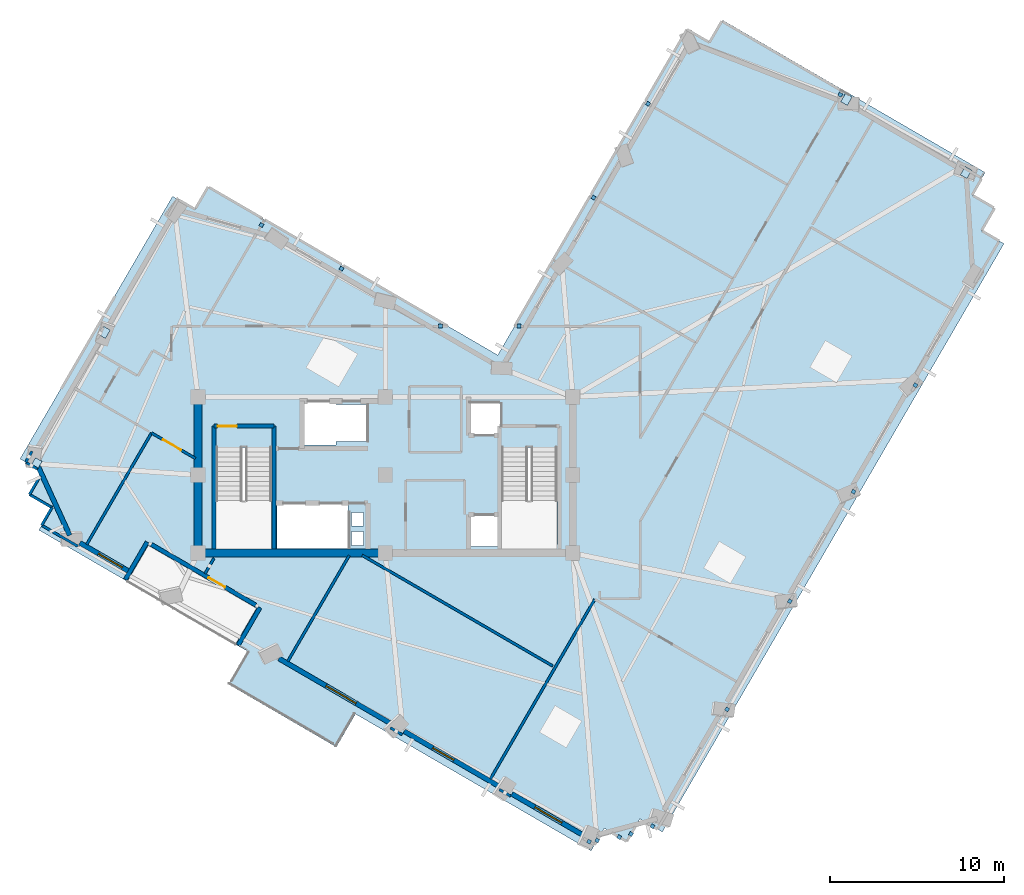
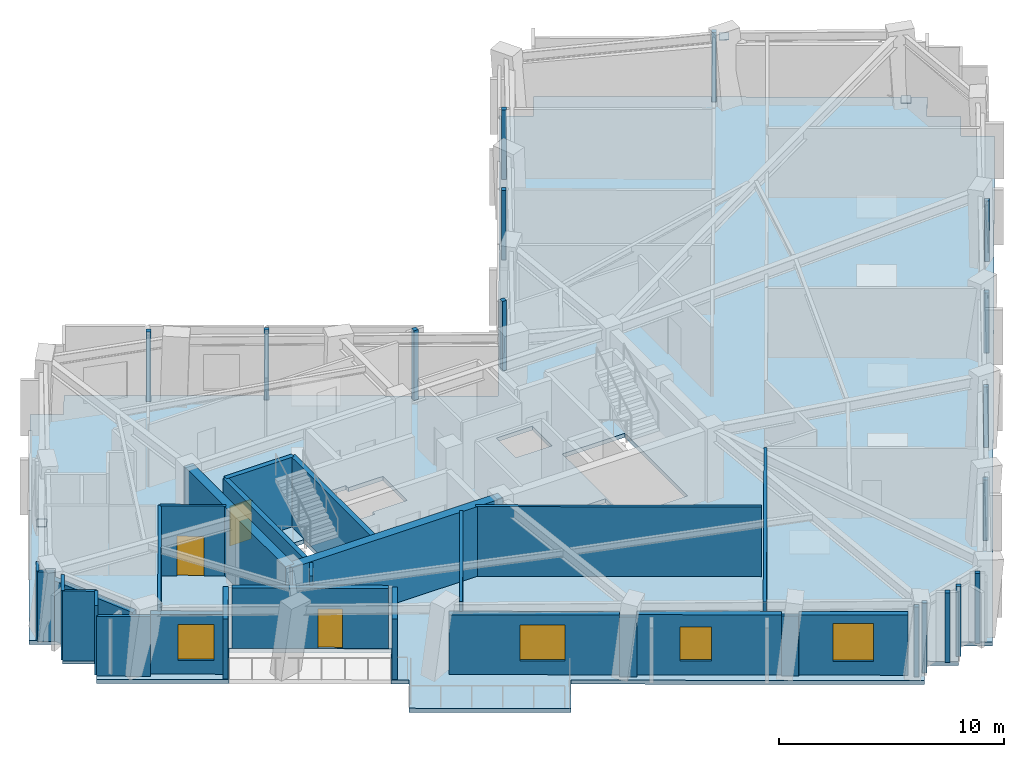
# One storey, part 4 of 12: 27 walls, 20 plates, 4 windows, 3 doors, 1 slab, 7 openings.
"""IFC4 building model written with IfcOpenShell, lengths in metres."""

from ifc_helpers import new_model, si_unit, direction, frame, frame_2d, origin, origin_2d, place, context, subcontext, project, spatial, polyline, rectangle, outline, extrude, material, layer, layer_set, type_object, element, fill, save


model = new_model("IFC4")

# Units and contexts
model_context = context("Model", 3, precision=1e-05, world=origin(), true_north=direction((0.0, 1.0)))
body_context = subcontext(model_context, "Body", "Model", "MODEL_VIEW")
ifc_project = project(units=[si_unit("LENGTHUNIT", "METRE"), si_unit("AREAUNIT", "SQUARE_METRE"), si_unit("VOLUMEUNIT", "CUBIC_METRE"), si_unit("PLANEANGLEUNIT", "RADIAN"), si_unit("MASSUNIT", "GRAM", prefix="KILO")], contexts=[model_context])

# Site, building, storey
site_placement = place(None, origin())
site = spatial("IfcSite", under=ifc_project, at=site_placement, CompositionType="ELEMENT")
building_placement = place(site_placement, origin())
building = spatial("IfcBuilding", under=site, at=building_placement, Name="Gaonmaruhae Medical Tower", CompositionType="ELEMENT")
storey_placement = place(building_placement, frame((0.0, 0.0, 280.60009765625)))
storey = spatial("IfcBuildingStorey", under=building, at=storey_placement, Name="L67", CompositionType="ELEMENT", Elevation=280.60009765625)

# Slab
ifc_material_1 = material(Name="Concrete C40/50", Category="concrete")
ifc_layer_1 = layer(ifc_material_1, 0.219970703125)
ifc_layer_set_1 = layer_set([ifc_layer_1], Name="Concrete C40/50")
slab_type = type_object("IfcSlabType", Name="FS-220 Clinical Ward Composite Floor Slab", PredefinedType="FLOOR", material=ifc_layer_set_1)
slab_placement = place(storey_placement, frame((0.0, 0.0, -0.22021484375)))
element("IfcSlab", 1, at=slab_placement, inside=storey, type_object=slab_type, Name="L67 Structural Slab 1", PredefinedType="FLOOR", context=body_context, shape_type="SweptSolid", body=[
    extrude(outline(polyline([(5.58984375, 10.423583984375), (4.292724609375, 11.177001953125), (5.046142578125, 12.47412109375), (3.7490234375, 13.2275390625), (12.538818359375, 28.360107421875), (13.835693359375, 27.606689453125), (14.589111328125, 28.903564453125), (31.2783203125, 19.2099609375), (42.17724609375, 37.97412109375), (43.474365234375, 37.220703125), (44.227783203125, 38.517822265625), (59.3603515625, 29.728271484375), (58.60693359375, 28.43115234375), (59.904052734375, 27.677734375), (59.150634765625, 26.380615234375), (60.447509765625, 25.627197265625), (40.7587890625, -8.26953125), (39.4619140625, -7.51611328125), (38.70849609375, -8.813232421875), (37.411376953125, -8.059814453125), (36.657958984375, -9.356689453125), (23.081787109375, -1.47119140625), (21.976806640625, -3.37353515625), (15.7509765625, 0.24267578125), (16.85595703125, 2.14501953125), (16.164306640625, 2.546875), (17.36962890625, 4.622314453125), (11.143798828125, 8.238525390625), (9.938232421875, 6.1630859375), (4.83642578125, 9.12646484375), (5.58984375, 10.423583984375)]), holes=[polyline([(23.550048828125, 8.25), (22.85009765625, 8.25), (22.85009765625, 9.050048828125), (23.550048828125, 9.050048828125), (23.550048828125, 8.25)]), polyline([(29.574951171875, 9.925048828125), (31.425048828125, 9.925048828125), (31.425048828125, 8.175048828125), (29.574951171875, 8.175048828125), (29.574951171875, 9.925048828125)]), polyline([(18.550048828125, 10.625), (22.64990234375, 10.625), (22.64990234375, 8.074951171875), (18.550048828125, 8.074951171875), (18.550048828125, 10.625)]), polyline([(23.550048828125, 9.35009765625), (22.85009765625, 9.35009765625), (22.85009765625, 10.14990234375), (23.550048828125, 10.14990234375), (23.550048828125, 9.35009765625)]), polyline([(15.050048828125, 13.889892578125), (18.25, 13.889892578125), (18.25, 8.300048828125), (15.050048828125, 8.300048828125), (15.050048828125, 13.889892578125)]), polyline([(31.5, 13.889892578125), (34.699951171875, 13.889892578125), (34.699951171875, 8.300048828125), (31.5, 8.300048828125), (31.5, 13.889892578125)]), polyline([(23.72509765625, 14.22509765625), (21.949951171875, 14.22509765625), (21.949951171875, 14.02490234375), (19.949951171875, 14.02490234375), (19.949951171875, 16.574951171875), (21.949951171875, 16.574951171875), (21.949951171875, 16.375), (23.72509765625, 16.375), (23.72509765625, 14.22509765625)]), polyline([(31.425048828125, 16.425048828125), (31.425048828125, 14.675048828125), (29.574951171875, 14.675048828125), (29.574951171875, 16.425048828125), (31.425048828125, 16.425048828125)])]), origin(), (0.0, 0.0, 1.0), 0.22021484375),
])

# Plates
ifc_material_2 = material(Name="Steel HSA650 (650 MPa)", Category="steel")
ifc_layer_2 = layer(ifc_material_2, 0.028076171875)
ifc_layer_set_2 = layer_set([ifc_layer_2], Name="Steel HSA650 (650 MPa)")
plate_type_1 = type_object("IfcPlateType", Name="GP-02 Tube Brace End Cap Gusset Plate", PredefinedType="USERDEFINED", material=ifc_layer_set_2)
for number, where, z_axis, x_axis, name in (
    (2, (58.262451171875, 29.729736328125, 0.23583984375), (0.0, 0.0, 1.0), (0.502265533143, 0.86471344052, 0.0), "L67 Gusset Cap Plate PLT-L67-PBR-E01A"),
    (3, (51.36865234375, 33.943359375, 3.515625), (0.0, 0.0, 1.0), (0.487859659139, 0.87292207727, 0.0), "L67 Gusset Cap Plate PLT-L67-PBR-E01B"),
    (4, (8.61962890625, 20.517578125, 0.23583984375), (0.0, 0.0, 1.0), (0.502265533143, 0.86471344052, 0.0), "L67 Gusset Cap Plate PLT-L67-PBR-N02A"),
    (5, (4.693603515625, 12.946044921875, 3.515625), (0.0, 0.0, 1.0), (0.487859659139, 0.87292207727, 0.0), "L67 Gusset Cap Plate PLT-L67-PBR-N02B"),
):
    element("IfcPlate", number, at=place(storey_placement, frame(where, z_axis=z_axis, x_axis=x_axis)), inside=storey, type_object=plate_type_1, Name=name, ObjectType="GUSSET_PLATE", PredefinedType="USERDEFINED", context=body_context, shape_type="SweptSolid", body=[
        extrude(rectangle(XDim=0.56005859375, YDim=0.43994140625, at=origin_2d()), origin(), (0.0, 0.0, 1.0), 0.028076171875),
    ])
ifc_material_3 = material(Name="Anodised aluminium 6063-T6", Category="aluminium")
ifc_layer_3 = layer(ifc_material_3, 0.011962890625)
ifc_layer_set_3 = layer_set([ifc_layer_3], Name="Anodised aluminium 6063-T6")
plate_type_2 = type_object("IfcPlateType", Name="PP-01 Interior Partition Corner Stiffener Plate", PredefinedType="SHEET", material=ifc_layer_set_3)
for number, where, z_axis, x_axis, name in (
    (6, (38.281005859375, -8.56494140625, 0.0), (0.0, 0.0, 1.0), (-0.864730972368, 0.502235348644, 0.0), "L67 Partition Corner Stiffener Plate PLT-L67-JGP-PW008"),
    (7, (37.006591796875, -8.757080078125, 0.0), (0.0, 0.0, 1.0), (-0.50217497781, -0.864766032902, 0.0), "L67 Partition Corner Stiffener Plate PLT-L67-JGP-PW009"),
    (8, (36.5400390625, -8.825927734375, 0.0), (0.0, 0.0, 1.0), (-0.865055121477, 0.501676825065, 0.0), "L67 Partition Corner Stiffener Plate PLT-L67-JGP-PW010"),
):
    element("IfcPlate", number, at=place(storey_placement, frame(where, z_axis=z_axis, x_axis=x_axis)), inside=storey, type_object=plate_type_2, Name=name, PredefinedType="SHEET", context=body_context, shape_type="SweptSolid", body=[
        extrude(rectangle(XDim=0.219970703125, YDim=0.219970703125, at=origin_2d()), origin(), (0.0, 0.0, 1.0), 3.780029296875),
    ])
plate_placement = place(storey_placement, frame((44.492919921875, -1.20361328125, 0.0), z_axis=(0.0, 0.0, 1.0), x_axis=(-0.502778575965, -0.864415237921, 0.0)))
element("IfcPlate", 9, at=plate_placement, inside=storey, type_object=plate_type_2, Name="L67 Partition Corner Stiffener Plate PLT-L67-JGP-PW014", PredefinedType="SHEET", context=body_context, shape_type="SweptSolid", body=[
    extrude(rectangle(XDim=0.219970703125, YDim=0.219970703125, at=origin_2d()), origin(), (0.0, 0.0, 1.0), 3.264892578125),
])
for number, where, z_axis, x_axis, name in (
    (10, (40.193603515625, -7.94140625, 0.0), (0.0, 0.0, 1.0), (-0.864809852643, 0.502099510825, 0.0), "L67 Partition Corner Stiffener Plate PLT-L67-JGP-PW016"),
    (11, (38.9560546875, -8.385986328125, 0.0), (0.0, 0.0, 1.0), (-0.502235348644, -0.864730972368, 0.0), "L67 Partition Corner Stiffener Plate PLT-L67-JGP-PW017"),
):
    element("IfcPlate", number, at=place(storey_placement, frame(where, z_axis=z_axis, x_axis=x_axis)), inside=storey, type_object=plate_type_2, Name=name, PredefinedType="SHEET", context=body_context, shape_type="SweptSolid", body=[
        extrude(rectangle(XDim=0.219970703125, YDim=0.219970703125, at=origin_2d()), origin(), (0.0, 0.0, 1.0), 3.780029296875),
    ])
for number, where, z_axis, x_axis, name in (
    (12, (48.10888671875, 5.0224609375, 0.0), (0.0, 0.0, 1.0), (-0.501389934345, -0.865221436245, 0.0), "L67 Partition Corner Stiffener Plate PLT-L67-JGP-PW022"),
    (13, (55.341064453125, 17.472900390625, 0.0), (0.0, 0.0, 1.0), (-0.502929437227, -0.86432747334, 0.0), "L67 Partition Corner Stiffener Plate PLT-L67-JGP-PW026"),
    (14, (51.778076171875, 11.339599609375, 0.0), (0.0, 0.0, 1.0), (-0.502054228799, -0.864836141327, 0.0), "L67 Partition Corner Stiffener Plate PLT-L67-JGP-PW027"),
):
    element("IfcPlate", number, at=place(storey_placement, frame(where, z_axis=z_axis, x_axis=x_axis)), inside=storey, type_object=plate_type_2, Name=name, PredefinedType="SHEET", context=body_context, shape_type="SweptSolid", body=[
        extrude(rectangle(XDim=0.219970703125, YDim=0.219970703125, at=origin_2d()), origin(), (0.0, 0.0, 1.0), 3.264892578125),
    ])
for number, where, z_axis, x_axis, name in (
    (15, (32.49951171875, 20.8798828125, 0.0), (0.0, 0.0, 1.0), (-1.0, 0.0, 0.0), "L67 Partition Corner Stiffener Plate PLT-L67-JGP-PW053"),
    (16, (22.27099609375, 24.18994140625, 0.0), (0.0, 0.0, 1.0), (0.501586233954, 0.865107652208, 0.0), "L67 Partition Corner Stiffener Plate PLT-L67-JGP-PW059"),
    (17, (27.969970703125, 20.8798828125, 0.0), (0.0, 0.0, 1.0), (-1.0, 0.0, 0.0), "L67 Partition Corner Stiffener Plate PLT-L67-JGP-PW061"),
    (18, (17.659423828125, 26.701904296875, 0.0), (0.0, 0.0, 1.0), (0.501631530197, 0.865081388028, 0.0), "L67 Partition Corner Stiffener Plate PLT-L67-JGP-PW065"),
    (19, (36.800048828125, 28.283447265625, 0.0), (0.0, 0.0, 1.0), (0.864107946705, -0.503306523345, 0.0), "L67 Partition Corner Stiffener Plate PLT-L67-JGP-PW084"),
    (20, (39.939453125, 33.6884765625, 0.0), (0.0, 0.0, 1.0), (0.864695907619, -0.502295717031, 0.0), "L67 Partition Corner Stiffener Plate PLT-L67-JGP-PW089"),
    (21, (51.014404296875, 34.214111328125, 0.0), (0.0, 0.0, 1.0), (-0.50146543725, -0.865177678425, 0.0), "L67 Partition Corner Stiffener Plate PLT-L67-JGP-PW096"),
):
    element("IfcPlate", number, at=place(storey_placement, frame(where, z_axis=z_axis, x_axis=x_axis)), inside=storey, type_object=plate_type_2, Name=name, PredefinedType="SHEET", context=body_context, shape_type="SweptSolid", body=[
        extrude(rectangle(XDim=0.219970703125, YDim=0.219970703125, at=origin_2d()), origin(), (0.0, 0.0, 1.0), 3.780029296875),
    ])

# Walls
ifc_material_4 = material(Name="Concrete C50/60", Category="concrete")
ifc_layer_4 = layer(ifc_material_4, 0.449951171875)
ifc_layer_set_4 = layer_set([ifc_layer_4], Name="Concrete C50/60")
wall_type_1 = type_object("IfcWallType", Name="CW-450 Upper Core Shear Wall", PredefinedType="SHEAR", material=ifc_layer_set_4)
wall_1_placement = place(storey_placement, frame((14.0, 7.800048828125, 0.0), z_axis=(0.0, 0.0, 1.0), x_axis=(1.0, 0.0, 0.0)))
element("IfcWall", 22, at=wall_1_placement, inside=storey, type_object=wall_type_1, Name="L67 Core Shear Wall CSW-S1", PredefinedType="SHEAR", context=body_context, shape_type="SweptSolid", body=[
    extrude(rectangle(XDim=10.800048828125, YDim=0.449951171875, at=frame_2d((5.39990234375, 0.0))), origin(), (0.0, 0.0, 1.0), 3.77978515625),
])
wall_2_placement = place(storey_placement, frame((14.0, 16.800048828125, 0.0), z_axis=(0.0, 0.0, 1.0), x_axis=(0.0, -1.0, 0.0)))
element("IfcWall", 23, at=wall_2_placement, inside=storey, type_object=wall_type_1, Name="L67 Core Shear Wall CSW-W1", PredefinedType="SHEAR", context=body_context, shape_type="SweptSolid", body=[
    extrude(rectangle(XDim=9.0, YDim=0.449951171875, at=frame_2d((4.5, 0.0))), origin(), (0.0, 0.0, 1.0), 3.77978515625),
])

# Wall, opening, door
ifc_material_5 = material(Name="Precast concrete C45/55", Category="concrete")
ifc_layer_5 = layer(ifc_material_5, 0.239990234375)
ifc_layer_set_5 = layer_set([ifc_layer_5], Name="Precast concrete C45/55")
wall_type_2 = type_object("IfcWallType", Name="EW-240 Ribbon & Shelter Insulated Precast Wall", PredefinedType="SOLIDWALL", material=ifc_layer_set_5)
wall_3_placement = place(storey_placement, frame((17.336181640625, 4.803466796875, 0.0), z_axis=(0.0, 0.0, 1.0), x_axis=(-0.86470491137, 0.502280216864, 0.0)))
wall_3 = element("IfcWall", 24, at=wall_3_placement, inside=storey, type_object=wall_type_2, Name="L67 Recessed Terrace Enclosure Wall TERB", PredefinedType="SOLIDWALL", context=body_context, shape_type="SweptSolid", body=[
    extrude(rectangle(XDim=6.9599609375, YDim=0.239990234375, at=frame_2d((3.47998046875, 0.0))), origin(), (0.0, 0.0, 1.0), 3.264892578125),
])
opening_1_placement = place(wall_3_placement, frame((2.040283203125, 0.0, 0.0)))
opening_1 = element("IfcOpeningElement", 25, at=opening_1_placement, cuts=wall_3, Name="Opening TD-01", PredefinedType="OPENING", context=body_context, shape_type="SweptSolid", body=[
    extrude(rectangle(XDim=1.10009765625, YDim=2.14990234375, at=frame_2d((0.550048828125, 1.074951171875))), frame((0.0, 0.1298828125, 0.0), z_axis=(0.0, -1.0, 0.0), x_axis=(1.0, 0.0, 0.0)), (0.0, 0.0, 1.0), 0.260009765625),
])
ifc_material_6 = material(Name="Anodised aluminium and toughened safety glass", Category="aluminium")
door_type_1 = type_object("IfcDoorType", Name="TD-01 Terrace & Sky Garden Glazed Door 1100x2150", OperationType="NOTDEFINED", PredefinedType="DOOR", material=ifc_material_6)
door_1_placement = place(opening_1_placement, origin())
door_1 = element("IfcDoor", 26, at=door_1_placement, inside=storey, type_object=door_type_1, Name="L67 Outdoor Terrace Access Door SLB-L67-TER", OperationType="SINGLE_SWING_RIGHT", OverallHeight=2.14990234375, OverallWidth=1.10009765625, PredefinedType="DOOR", context=body_context, shape_type="SweptSolid", body=[
    extrude(rectangle(XDim=1.10009765625, YDim=2.14990234375, at=frame_2d((0.550048828125, 1.074951171875))), frame((0.0, 0.02490234375, 0.0), z_axis=(0.0, -1.0, 0.0), x_axis=(1.0, 0.0, 0.0)), (0.0, 0.0, 1.0), 0.050048828125),
])
fill(opening_1, door_1)

# Walls
for number, where, z_axis, x_axis, name in (
    (27, (16.322509765625, 2.501220703125, 0.0), (0.0, 0.0, 1.0), (0.502352248959, 0.864663066151, 0.0), "L67 Recessed Terrace Enclosure Wall TERL"),
    (28, (11.07568359375, 8.43994140625, 0.0), (0.0, 0.0, 1.0), (-0.50223681618, -0.864730120022, 0.0), "L67 Recessed Terrace Enclosure Wall TERR"),
):
    element("IfcWall", number, at=place(storey_placement, frame(where, z_axis=z_axis, x_axis=x_axis)), inside=storey, type_object=wall_type_2, Name=name, PredefinedType="SOLIDWALL", context=body_context, shape_type="SweptSolid", body=[
        extrude(rectangle(XDim=2.5, YDim=0.239990234375, at=frame_2d((1.25, 0.0))), origin(), (0.0, 0.0, 1.0), 3.264892578125),
    ])
ifc_layer_6 = layer(ifc_material_5, 0.280029296875)
ifc_layer_set_6 = layer_set([ifc_layer_6], Name="Precast concrete C45/55")
wall_type_3 = type_object("IfcWallType", Name="EW-280 Upper Precast Masonry-Frame Facade Wall", PredefinedType="SOLIDWALL", material=ifc_layer_set_6)
wall_4_placement = place(storey_placement, frame((6.611572265625, 8.823486328125, 0.0), z_axis=(0.0, 0.0, 1.0), x_axis=(-0.41676340923, 0.909014994776, 0.0)))
element("IfcWall", 29, at=wall_4_placement, inside=storey, type_object=wall_type_3, Name="L67 Precast Masonry-Frame Wall N03-W01", PredefinedType="SOLIDWALL", context=body_context, shape_type="SweptSolid", body=[
    extrude(rectangle(XDim=4.408203125, YDim=0.280029296875, at=frame_2d((2.2041015625, 0.0))), origin(), (0.0, 0.0, 1.0), 3.264892578125),
])

# Wall, opening, window
wall_5_placement = place(storey_placement, frame((10.058837890625, 6.729248046875, 0.0), z_axis=(0.0, 0.0, 1.0), x_axis=(-0.864725986207, 0.502243933541, 0.0)))
wall_5 = element("IfcWall", 30, at=wall_5_placement, inside=storey, type_object=wall_type_3, Name="L67 Precast Masonry-Frame Wall W01-W02", PredefinedType="SOLIDWALL", context=body_context, shape_type="SweptSolid", body=[
    extrude(rectangle(XDim=3.313720703125, YDim=0.280029296875, at=frame_2d((1.65673828125, 0.0))), origin(), (0.0, 0.0, 1.0), 3.244873046875),
])
opening_2_placement = place(wall_5_placement, frame((0.47998046875, 0.0, 0.75)))
opening_2 = element("IfcOpeningElement", 31, at=opening_2_placement, cuts=wall_5, Name="Opening WN-01", PredefinedType="OPENING", context=body_context, shape_type="SweptSolid", body=[
    extrude(rectangle(XDim=1.60009765625, YDim=1.949951171875, at=frame_2d((0.800048828125, 0.97509765625))), frame((0.0, 0.14990234375, 0.0), z_axis=(0.0, -1.0, 0.0), x_axis=(1.0, 0.0, 0.0)), (0.0, 0.0, 1.0), 0.300048828125),
])
ifc_material_7 = material(Name="Anodised aluminium and Low-E double glazing", Category="aluminium")
window_type_1 = type_object("IfcWindowType", Name="WN-01 Ward Punched Acoustic Window 1600x1950", PartitioningType="SINGLE_PANEL", PredefinedType="WINDOW", material=ifc_material_7)
window_1_placement = place(opening_2_placement, origin())
window_1 = element("IfcWindow", 32, at=window_1_placement, inside=storey, type_object=window_type_1, Name="L67 Modular Facade Window W01", OverallHeight=1.949951171875, OverallWidth=1.60009765625, PartitioningType="SINGLE_PANEL", PredefinedType="WINDOW", context=body_context, shape_type="SweptSolid", body=[
    extrude(rectangle(XDim=1.60009765625, YDim=1.949951171875, at=frame_2d((0.800048828125, 0.97509765625))), frame((0.0, 0.030029296875, 0.0), z_axis=(0.0, -1.0, 0.0), x_axis=(1.0, 0.0, 0.0)), (0.0, 0.0, 1.0), 0.06005859375),
])
fill(opening_2, window_1)

wall_6_placement = place(storey_placement, frame((25.202880859375, -2.067138671875, 0.0), z_axis=(0.0, 0.0, 1.0), x_axis=(-0.864725142377, 0.502245386381, 0.0)))
wall_6 = element("IfcWall", 33, at=wall_6_placement, inside=storey, type_object=wall_type_3, Name="L67 Precast Masonry-Frame Wall W03-W04", PredefinedType="SOLIDWALL", context=body_context, shape_type="SweptSolid", body=[
    extrude(rectangle(XDim=7.558349609375, YDim=0.280029296875, at=frame_2d((3.779296875, 0.0))), origin(), (0.0, 0.0, 1.0), 3.244873046875),
])
opening_3_placement = place(wall_6_placement, frame((2.41259765625, 0.0, 0.75)))
opening_3 = element("IfcOpeningElement", 34, at=opening_3_placement, cuts=wall_6, Name="Opening WN-02", PredefinedType="OPENING", context=body_context, shape_type="SweptSolid", body=[
    extrude(rectangle(XDim=2.0, YDim=1.949951171875, at=frame_2d((1.0, 0.97509765625))), frame((0.0, 0.14990234375, 0.0), z_axis=(0.0, -1.0, 0.0), x_axis=(1.0, 0.0, 0.0)), (0.0, 0.0, 1.0), 0.300048828125),
])
window_type_2 = type_object("IfcWindowType", Name="WN-02 Double-Bed Ward Punched Window 2000x1950", PartitioningType="SINGLE_PANEL", PredefinedType="WINDOW", material=ifc_material_7)
window_2_placement = place(opening_3_placement, origin())
window_2 = element("IfcWindow", 35, at=window_2_placement, inside=storey, type_object=window_type_2, Name="L67 Modular Facade Window W03", OverallHeight=1.949951171875, OverallWidth=2.0, PartitioningType="SINGLE_PANEL", PredefinedType="WINDOW", context=body_context, shape_type="SweptSolid", body=[
    extrude(rectangle(XDim=2.0, YDim=1.949951171875, at=frame_2d((1.0, 0.97509765625))), frame((0.0, 0.030029296875, 0.0), z_axis=(0.0, -1.0, 0.0), x_axis=(1.0, 0.0, 0.0)), (0.0, 0.0, 1.0), 0.06005859375),
])
fill(opening_3, window_2)

wall_7_placement = place(storey_placement, frame((31.439697265625, -5.689697265625, 0.0), z_axis=(0.0, 0.0, 1.0), x_axis=(-0.864718678955, 0.50225651441, 0.0)))
wall_7 = element("IfcWall", 36, at=wall_7_placement, inside=storey, type_object=wall_type_3, Name="L67 Precast Masonry-Frame Wall W04-W05", PredefinedType="SOLIDWALL", context=body_context, shape_type="SweptSolid", body=[
    extrude(rectangle(XDim=6.425048828125, YDim=0.280029296875, at=frame_2d((3.21240234375, 0.0))), origin(), (0.0, 0.0, 1.0), 3.264892578125),
])
opening_4_placement = place(wall_7_placement, frame((3.119384765625, 0.0, 0.75)))
opening_4 = element("IfcOpeningElement", 37, at=opening_4_placement, cuts=wall_7, Name="Opening WN-03", PredefinedType="OPENING", context=body_context, shape_type="SweptSolid", body=[
    extrude(rectangle(XDim=1.39990234375, YDim=1.85009765625, at=frame_2d((0.699951171875, 0.925048828125))), frame((0.0, 0.14990234375, 0.0), z_axis=(0.0, -1.0, 0.0), x_axis=(1.0, 0.0, 0.0)), (0.0, 0.0, 1.0), 0.300048828125),
])
window_type_3 = type_object("IfcWindowType", Name="WN-03 Isolation Ward Punched Window 1400x1850", PartitioningType="SINGLE_PANEL", PredefinedType="WINDOW", material=ifc_material_7)
window_3_placement = place(opening_4_placement, origin())
window_3 = element("IfcWindow", 38, at=window_3_placement, inside=storey, type_object=window_type_3, Name="L67 Modular Facade Window W04", OverallHeight=1.85009765625, OverallWidth=1.39990234375, PartitioningType="SINGLE_PANEL", PredefinedType="WINDOW", context=body_context, shape_type="SweptSolid", body=[
    extrude(rectangle(XDim=1.39990234375, YDim=1.85009765625, at=frame_2d((0.699951171875, 0.925048828125))), frame((0.0, 0.030029296875, 0.0), z_axis=(0.0, -1.0, 0.0), x_axis=(1.0, 0.0, 0.0)), (0.0, 0.0, 1.0), 0.06005859375),
])
fill(opening_4, window_3)

wall_8_placement = place(storey_placement, frame((36.296630859375, -8.510986328125, 0.0), z_axis=(0.0, 0.0, 1.0), x_axis=(-0.864722028851, 0.502250746958, 0.0)))
wall_8 = element("IfcWall", 39, at=wall_8_placement, inside=storey, type_object=wall_type_3, Name="L67 Precast Masonry-Frame Wall W05-W06", PredefinedType="SOLIDWALL", context=body_context, shape_type="SweptSolid", body=[
    extrude(rectangle(XDim=4.85546875, YDim=0.280029296875, at=frame_2d((2.427734375, 0.0))), origin(), (0.0, 0.0, 1.0), 3.264892578125),
])
opening_5_placement = place(wall_8_placement, frame((1.53271484375, 0.0, 0.75)))
opening_5 = element("IfcOpeningElement", 40, at=opening_5_placement, cuts=wall_8, Name="Opening WN-04", PredefinedType="OPENING", context=body_context, shape_type="SweptSolid", body=[
    extrude(rectangle(XDim=1.800048828125, YDim=2.050048828125, at=frame_2d((0.89990234375, 1.02490234375))), frame((0.0, 0.14990234375, 0.0), z_axis=(0.0, -1.0, 0.0), x_axis=(1.0, 0.0, 0.0)), (0.0, 0.0, 1.0), 0.300048828125),
])
window_type_4 = type_object("IfcWindowType", Name="WN-04 Clinic & Consult Punched Window 1800x2050", PartitioningType="SINGLE_PANEL", PredefinedType="WINDOW", material=ifc_material_7)
window_4_placement = place(opening_5_placement, origin())
window_4 = element("IfcWindow", 41, at=window_4_placement, inside=storey, type_object=window_type_4, Name="L67 Modular Facade Window W05", OverallHeight=2.050048828125, OverallWidth=1.800048828125, PartitioningType="SINGLE_PANEL", PredefinedType="WINDOW", context=body_context, shape_type="SweptSolid", body=[
    extrude(rectangle(XDim=1.800048828125, YDim=2.050048828125, at=frame_2d((0.89990234375, 1.02490234375))), frame((0.0, 0.030029296875, 0.0), z_axis=(0.0, -1.0, 0.0), x_axis=(1.0, 0.0, 0.0)), (0.0, 0.0, 1.0), 0.06005859375),
])
fill(opening_5, window_4)

# Walls
ifc_material_8 = material(Name="Gypsum board partition", Category="gypsum")
ifc_layer_7 = layer(ifc_material_8, 0.14990234375)
ifc_layer_set_7 = layer_set([ifc_layer_7], Name="Gypsum board partition")
wall_type_4 = type_object("IfcWallType", Name="PW-150 Rated Clinical Corridor Partition", PredefinedType="PARTITIONING", material=ifc_layer_set_7)
wall_9_placement = place(storey_placement, frame((32.02294921875, -6.201904296875, 0.0), z_axis=(0.0, 0.0, 1.0), x_axis=(-0.865228686235, 0.501377423221, 0.0)))
element("IfcWall", 42, at=wall_9_placement, inside=storey, type_object=wall_type_4, Name="L67 Interior Partition L67-SUP01-11", PredefinedType="PARTITIONING", context=body_context, shape_type="SweptSolid", body=[
    extrude(rectangle(XDim=0.761474609375, YDim=0.14990234375, at=frame_2d((0.380859375, 0.0))), origin(), (0.0, 0.0, 1.0), 3.264892578125),
])
wall_10_placement = place(storey_placement, frame((30.85205078125, -5.216064453125, 0.0), z_axis=(0.0, 0.0, 1.0), x_axis=(0.502280600882, 0.864704688306, 0.0)))
element("IfcWall", 43, at=wall_10_placement, inside=storey, type_object=wall_type_4, Name="L67 Interior Partition L67-SUP01-12", PredefinedType="PARTITIONING", context=body_context, shape_type="SweptSolid", body=[
    extrude(rectangle(XDim=11.97509765625, YDim=0.14990234375, at=frame_2d((5.987548828125, 0.0))), origin(), (0.0, 0.0, 1.0), 3.77978515625),
])
wall_11_placement = place(storey_placement, frame((25.76806640625, -2.660888671875, 0.0), z_axis=(0.0, 0.0, 1.0), x_axis=(-0.864880251812, 0.501978236605, 0.0)))
element("IfcWall", 44, at=wall_11_placement, inside=storey, type_object=wall_type_4, Name="L67 Interior Partition L67-WOF05-36", PredefinedType="PARTITIONING", context=body_context, shape_type="SweptSolid", body=[
    extrude(rectangle(XDim=0.786376953125, YDim=0.14990234375, at=frame_2d((0.39306640625, 0.0))), origin(), (0.0, 0.0, 1.0), 3.264892578125),
])
wall_12_placement = place(storey_placement, frame((19.178955078125, 1.56494140625, 0.0), z_axis=(0.0, 0.0, 1.0), x_axis=(0.502212365781, 0.864744320396, 0.0)))
element("IfcWall", 45, at=wall_12_placement, inside=storey, type_object=wall_type_4, Name="L67 Interior Partition L67-WOF05-37", PredefinedType="PARTITIONING", context=body_context, shape_type="SweptSolid", body=[
    extrude(rectangle(XDim=7.05078125, YDim=0.14990234375, at=frame_2d((3.525390625, 0.0))), origin(), (0.0, 0.0, 1.0), 3.77978515625),
])
wall_13_placement = place(storey_placement, frame((23.462890625, 7.675048828125, 0.0), z_axis=(0.0, 0.0, 1.0), x_axis=(0.864698213219, -0.502291747948, 0.0)))
element("IfcWall", 46, at=wall_13_placement, inside=storey, type_object=wall_type_4, Name="L67 Interior Partition L67-WOF05-38", PredefinedType="PARTITIONING", context=body_context, shape_type="SweptSolid", body=[
    extrude(rectangle(XDim=12.703857421875, YDim=0.14990234375, at=frame_2d((6.35205078125, 0.0))), origin(), (0.0, 0.0, 1.0), 3.77978515625),
])
wall_14_placement = place(storey_placement, frame((7.591064453125, 8.294921875, 0.0), z_axis=(0.0, 0.0, 1.0), x_axis=(0.502314529321, 0.864684979419, 0.0)))
element("IfcWall", 47, at=wall_14_placement, inside=storey, type_object=wall_type_4, Name="L67 Interior Partition L67-WOF06-39", PredefinedType="PARTITIONING", context=body_context, shape_type="SweptSolid", body=[
    extrude(rectangle(XDim=7.435302734375, YDim=0.14990234375, at=frame_2d((3.7177734375, 0.0))), origin(), (0.0, 0.0, 1.0), 3.77978515625),
])

# Wall, opening, door
wall_15_placement = place(storey_placement, frame((11.325927734375, 14.72412109375, 0.0), z_axis=(0.0, 0.0, 1.0), x_axis=(0.864707313678, -0.502276081126, 0.0)))
wall_15 = element("IfcWall", 48, at=wall_15_placement, inside=storey, type_object=wall_type_4, Name="L67 Interior Partition L67-WOF06-40", PredefinedType="PARTITIONING", context=body_context, shape_type="SweptSolid", body=[
    extrude(rectangle(XDim=2.932861328125, YDim=0.14990234375, at=frame_2d((1.46630859375, 0.0))), origin(), (0.0, 0.0, 1.0), 3.77978515625),
])
opening_6_placement = place(wall_15_placement, frame((0.772705078125, 0.0, 0.0)))
opening_6 = element("IfcOpeningElement", 49, at=opening_6_placement, cuts=wall_15, Name="Opening CD-02", PredefinedType="OPENING", context=body_context, shape_type="SweptSolid", body=[
    extrude(rectangle(XDim=1.199951171875, YDim=2.14990234375, at=frame_2d((0.60009765625, 1.074951171875))), frame((0.0, 0.0849609375, 0.0), z_axis=(0.0, -1.0, 0.0), x_axis=(1.0, 0.0, 0.0)), (0.0, 0.0, 1.0), 0.169921875),
])
ifc_material_9 = material(Name="Antimicrobial laminate timber fire door", Category="wood")
door_type_2 = type_object("IfcDoorType", Name="CD-02 Clinical Treatment & Procedure Door 1200x2150", OperationType="NOTDEFINED", PredefinedType="DOOR", material=ifc_material_9)
door_2_placement = place(opening_6_placement, origin())
door_2 = element("IfcDoor", 50, at=door_2_placement, inside=storey, type_object=door_type_2, Name="L67 Ward Physician Reporting Office Door", OperationType="SINGLE_SWING_LEFT", OverallHeight=2.14990234375, OverallWidth=1.199951171875, PredefinedType="DOOR", context=body_context, shape_type="SweptSolid", body=[
    extrude(rectangle(XDim=1.199951171875, YDim=2.14990234375, at=frame_2d((0.60009765625, 1.074951171875))), frame((0.0, 0.02490234375, 0.0), z_axis=(0.0, -1.0, 0.0), x_axis=(1.0, 0.0, 0.0)), (0.0, 0.0, 1.0), 0.050048828125),
])
fill(opening_6, door_2)

# Walls
wall_16_placement = place(storey_placement, frame((14.924072265625, 7.5, 0.0), z_axis=(0.0, 0.0, 1.0), x_axis=(-0.502641159328, -0.864495150333, 0.0)))
element("IfcWall", 51, at=wall_16_placement, inside=storey, type_object=wall_type_4, Name="L67 Interior Partition L67-WOF06-41", PredefinedType="PARTITIONING", context=body_context, shape_type="SweptSolid", body=[
    extrude(rectangle(XDim=1.02490234375, YDim=0.14990234375, at=frame_2d((0.512451171875, 0.0))), origin(), (0.0, 0.0, 1.0), 3.77978515625),
])
wall_17_placement = place(storey_placement, frame((4.72607421875, 12.659912109375, 0.0), z_axis=(0.0, 0.0, 1.0), x_axis=(-0.86430974307, 0.502959906984, 0.0)))
element("IfcWall", 52, at=wall_17_placement, inside=storey, type_object=wall_type_4, Name="L67 Interior Partition L67-BR01-42", PredefinedType="PARTITIONING", context=body_context, shape_type="SweptSolid", body=[
    extrude(rectangle(XDim=0.75, YDim=0.14990234375, at=frame_2d((0.375, 0.0))), origin(), (0.0, 0.0, 1.0), 3.77978515625),
])
wall_18_placement = place(storey_placement, frame((4.077880859375, 13.037109375, 0.0), z_axis=(0.0, 0.0, 1.0), x_axis=(0.502457864187, 0.864601697151, 0.0)))
element("IfcWall", 53, at=wall_18_placement, inside=storey, type_object=wall_type_4, Name="L67 Interior Partition L67-BR01-43", PredefinedType="PARTITIONING", context=body_context, shape_type="SweptSolid", body=[
    extrude(rectangle(XDim=0.730712890625, YDim=0.14990234375, at=frame_2d((0.365234375, 0.0))), origin(), (0.0, 0.0, 1.0), 3.77978515625),
])
wall_19_placement = place(storey_placement, frame((7.077880859375, 8.194091796875, 0.0), z_axis=(0.0, 0.0, 1.0), x_axis=(-0.864649647981, 0.502375343987, 0.0)))
element("IfcWall", 54, at=wall_19_placement, inside=storey, type_object=wall_type_4, Name="L67 Interior Partition L67-BR01-47", PredefinedType="PARTITIONING", context=body_context, shape_type="SweptSolid", body=[
    extrude(rectangle(XDim=2.406494140625, YDim=0.14990234375, at=frame_2d((1.203125, 0.0))), origin(), (0.0, 0.0, 1.0), 3.244873046875),
])
wall_20_placement = place(storey_placement, frame((4.9970703125, 9.403076171875, 0.0), z_axis=(0.0, 0.0, 1.0), x_axis=(0.502250243509, 0.864722321266, 0.0)))
element("IfcWall", 55, at=wall_20_placement, inside=storey, type_object=wall_type_4, Name="L67 Interior Partition L67-BR01-48", PredefinedType="PARTITIONING", context=body_context, shape_type="SweptSolid", body=[
    extrude(rectangle(XDim=1.1806640625, YDim=0.14990234375, at=frame_2d((0.59033203125, 0.0))), origin(), (0.0, 0.0, 1.0), 3.77978515625),
])
wall_21_placement = place(storey_placement, frame((5.590087890625, 10.424072265625, 0.0), z_axis=(0.0, 0.0, 1.0), x_axis=(-0.864857344758, 0.502017702096, 0.0)))
element("IfcWall", 56, at=wall_21_placement, inside=storey, type_object=wall_type_4, Name="L67 Interior Partition L67-BR01-49", PredefinedType="PARTITIONING", context=body_context, shape_type="SweptSolid", body=[
    extrude(rectangle(XDim=1.499755859375, YDim=0.14990234375, at=frame_2d((0.75, 0.0))), origin(), (0.0, 0.0, 1.0), 3.77978515625),
])
wall_22_placement = place(storey_placement, frame((4.29296875, 11.177001953125, 0.0), z_axis=(0.0, 0.0, 1.0), x_axis=(0.502240128537, 0.86472819619, 0.0)))
element("IfcWall", 57, at=wall_22_placement, inside=storey, type_object=wall_type_4, Name="L67 Interior Partition L67-BR01-50", PredefinedType="PARTITIONING", context=body_context, shape_type="SweptSolid", body=[
    extrude(rectangle(XDim=1.238525390625, YDim=0.14990234375, at=frame_2d((0.619140625, 0.0))), origin(), (0.0, 0.0, 1.0), 3.77978515625),
])

# Wall, opening, door
ifc_layer_8 = layer(ifc_material_4, 0.239990234375)
ifc_layer_set_8 = layer_set([ifc_layer_8], Name="Concrete C50/60")
wall_type_5 = type_object("IfcWallType", Name="SW-240 Dogleg Stair Tight Shaft Wall", PredefinedType="SOLIDWALL", material=ifc_layer_set_8)
wall_23_placement = place(storey_placement, frame((14.919921875, 15.1201171875, 0.0), z_axis=(0.0, 0.0, 1.0), x_axis=(1.0, 0.0, 0.0)))
wall_23 = element("IfcWall", 58, at=wall_23_placement, inside=storey, type_object=wall_type_5, Name="L67 ST-01 Stair Shaft Wall SHW-ST-01-N", PredefinedType="SOLIDWALL", context=body_context, shape_type="SweptSolid", body=[
    extrude(rectangle(XDim=3.4599609375, YDim=0.239990234375, at=frame_2d((1.72998046875, 0.0))), origin(), (0.0, 0.0, 1.0), 3.77978515625),
])
opening_7_placement = place(wall_23_placement, frame((0.219970703125, 0.0, 0.0)))
opening_7 = element("IfcOpeningElement", 59, at=opening_7_placement, cuts=wall_23, Name="Opening FD-01", PredefinedType="OPENING", context=body_context, shape_type="SweptSolid", body=[
    extrude(rectangle(XDim=1.10009765625, YDim=2.14990234375, at=frame_2d((0.550048828125, 1.074951171875))), frame((0.0, 0.1298828125, 0.0), z_axis=(0.0, -1.0, 0.0), x_axis=(1.0, 0.0, 0.0)), (0.0, 0.0, 1.0), 0.260009765625),
])
ifc_material_10 = material(Name="Powder-coated steel fire door", Category="steel")
door_type_3 = type_object("IfcDoorType", Name="FD-01 Escape Stair Protected Fire Door 1100x2150", OperationType="NOTDEFINED", PredefinedType="DOOR", material=ifc_material_10)
door_3_placement = place(opening_7_placement, origin())
door_3 = element("IfcDoor", 60, at=door_3_placement, inside=storey, type_object=door_type_3, Name="L67 ST-01 Protected Escape Stair Door", OperationType="SINGLE_SWING_LEFT", OverallHeight=2.14990234375, OverallWidth=1.10009765625, PredefinedType="DOOR", context=body_context, shape_type="SweptSolid", body=[
    extrude(rectangle(XDim=1.10009765625, YDim=2.14990234375, at=frame_2d((0.550048828125, 1.074951171875))), frame((0.0, 0.02490234375, 0.0), z_axis=(0.0, -1.0, 0.0), x_axis=(1.0, 0.0, 0.0)), (0.0, 0.0, 1.0), 0.050048828125),
])
fill(opening_7, door_3)

# Walls
for number, where, z_axis, x_axis, name in (
    (61, (18.3798828125, 15.1201171875, 0.0), (0.0, 0.0, 1.0), (0.0, -1.0, 0.0), "L67 ST-01 Stair Shaft Wall SHW-ST-01-E"),
    (62, (14.919921875, 8.02490234375, 0.0), (0.0, 0.0, 1.0), (0.0, 1.0, 0.0), "L67 ST-01 Stair Shaft Wall SHW-ST-01-W"),
):
    element("IfcWall", number, at=place(storey_placement, frame(where, z_axis=z_axis, x_axis=x_axis)), inside=storey, type_object=wall_type_5, Name=name, PredefinedType="SOLIDWALL", context=body_context, shape_type="SweptSolid", body=[
        extrude(rectangle(XDim=7.09521484375, YDim=0.239990234375, at=frame_2d((3.547607421875, 0.0))), origin(), (0.0, 0.0, 1.0), 3.77978515625),
    ])

save(model, "model.ifc")
